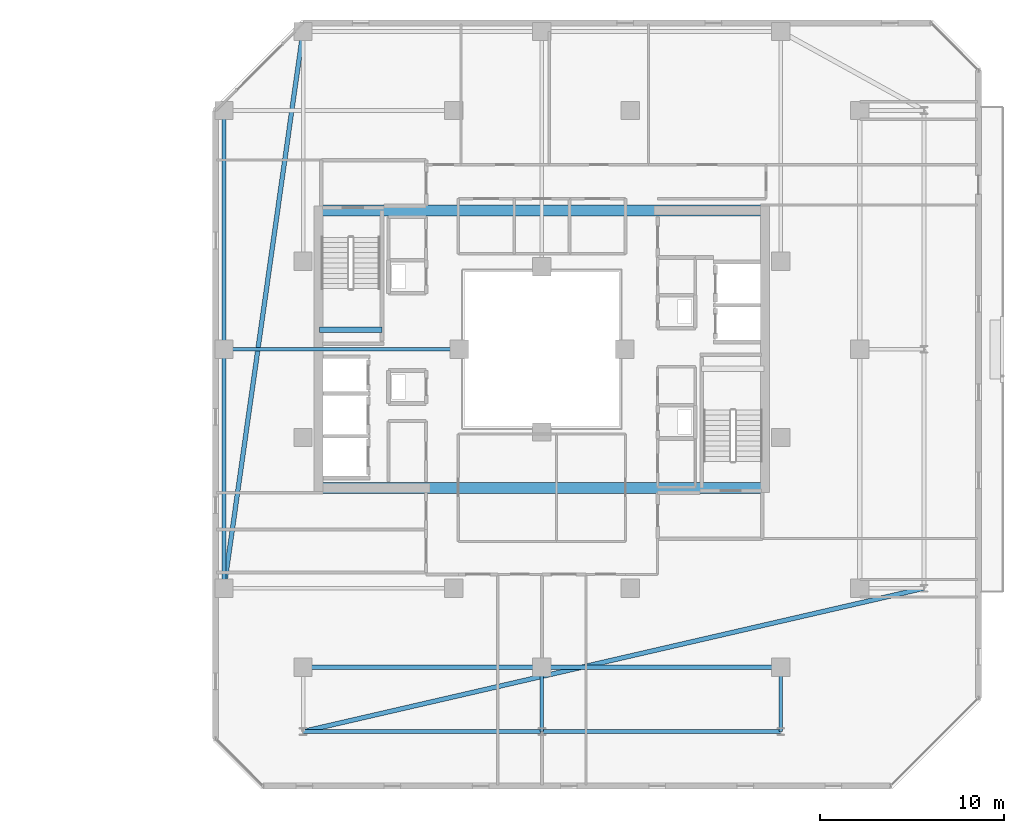
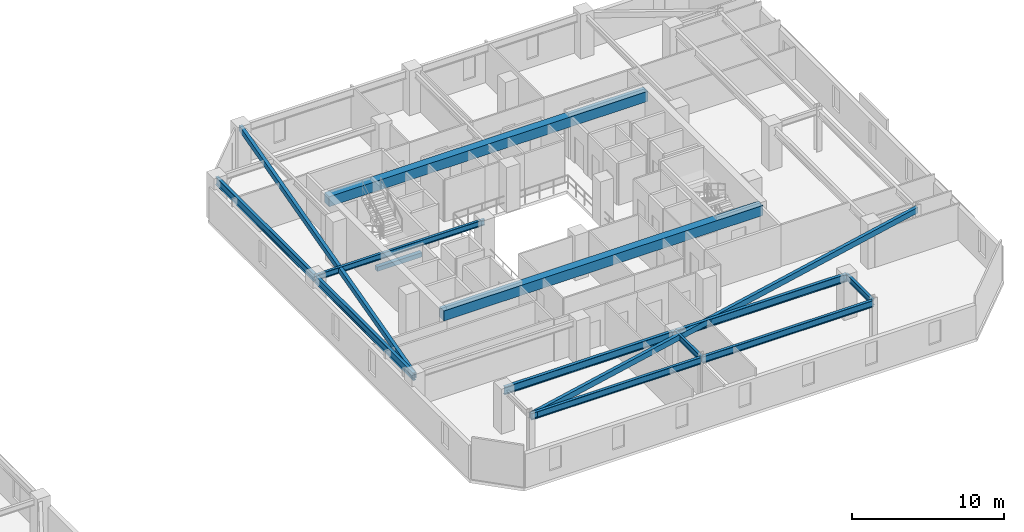
# One storey, part 11 of 32: 14 beams.
"""IFC4 building model written with IfcOpenShell, lengths in metres."""

import ifcopenshell
import ifcopenshell.guid

model = None  # the IFC model being written
_history = None  # IfcOwnerHistory: only IFC2X3 demands one
_inside = {}  # id of a spatial element -> (the spatial element, [elements in it])
_under = {}  # id of a project, library or spatial element -> (it, [spatial elements below it])
_declared = {}  # id of a project -> (the project, [libraries it declares])
_typed = {}  # id of a type object -> (the type object, [elements of that type])
_made_of = {}  # id of a material, layer set ... -> (it, [elements and type objects made of it])


def new_model(schema):
    """Start an empty IFC model of exactly this schema.

    Asked for "IFC4X3", IfcOpenShell would pick the latest addendum, in which some entities
    have other attributes; the version numbers below select the first issue.
    IFC2X3 requires an IfcOwnerHistory on every rooted entity: one is made here for all.
    """
    global model, _history
    if schema == "IFC4X3":
        model = ifcopenshell.file(schema_version=(4, 3, 0, 0))
    else:
        model = ifcopenshell.file(schema=schema)
    _inside.clear()
    _under.clear()
    _declared.clear()
    _typed.clear()
    _made_of.clear()
    _history = None
    if model.schema == "IFC2X3":
        org = make("IfcOrganization", Name="unknown")
        user = make(
            "IfcPersonAndOrganization",
            ThePerson=make("IfcPerson", FamilyName="unknown"),
            TheOrganization=org,
        )
        app = make(
            "IfcApplication",
            ApplicationDeveloper=org,
            Version="unknown",
            ApplicationFullName="unknown",
            ApplicationIdentifier="unknown",
        )
        _history = make(
            "IfcOwnerHistory",
            OwningUser=user,
            OwningApplication=app,
            ChangeAction="ADDED",
            CreationDate=0,
        )
    return model


def make(cls, **values):
    """One entity of the class cls with the attributes given. An attribute that is None is left unset."""
    return model.create_entity(
        cls, **{name: value for name, value in values.items() if value is not None}
    )


def rooted(cls, **values):
    """An entity with a GlobalId (a new one), such as an element, a storey or a relation."""
    return make(cls, GlobalId=ifcopenshell.guid.new(), OwnerHistory=_history, **values)


def si_unit(unit_type, name, prefix=None):
    """IfcSIUnit, for example si_unit("LENGTHUNIT", "METRE", prefix="MILLI")."""
    return make("IfcSIUnit", UnitType=unit_type, Prefix=prefix, Name=name)


def assignment(units):
    """IfcUnitAssignment: the units of a project."""
    return None if units is None else make("IfcUnitAssignment", Units=units)


def point(xyz):
    """IfcCartesianPoint."""
    return None if xyz is None else make("IfcCartesianPoint", Coordinates=xyz)


def direction(xyz):
    """IfcDirection."""
    return None if xyz is None else make("IfcDirection", DirectionRatios=xyz)


def frame(location, z_axis=None, x_axis=None):
    """IfcAxis2Placement3D, a coordinate frame: its origin and axes. An axis left out is left unset."""
    return make(
        "IfcAxis2Placement3D",
        Location=point(location),
        Axis=direction(z_axis),
        RefDirection=direction(x_axis),
    )


def frame_2d(location, x_axis=None):
    """IfcAxis2Placement2D, a coordinate frame in the plane: its origin and x axis."""
    return make(
        "IfcAxis2Placement2D", Location=point(location), RefDirection=direction(x_axis)
    )


def origin():
    """The frame at (0, 0, 0) with its axes left unset."""
    return frame((0.0, 0.0, 0.0))


def origin_2d():
    """The frame at (0, 0) in the plane with its x axis left unset."""
    return frame_2d((0.0, 0.0))


def place(relative_to, where):
    """IfcLocalPlacement: puts the frame where relative to a parent placement (None: the world)."""
    return make(
        "IfcLocalPlacement", PlacementRelTo=relative_to, RelativePlacement=where
    )


def context(
    kind, dimensions, precision=None, world=None, true_north=None, identifier=None
):
    """IfcGeometricRepresentationContext, for example the 3D "Model" context."""
    return make(
        "IfcGeometricRepresentationContext",
        ContextIdentifier=identifier,
        ContextType=kind,
        CoordinateSpaceDimension=dimensions,
        Precision=precision,
        WorldCoordinateSystem=world,
        TrueNorth=true_north,
    )


def subcontext(parent, identifier, kind, view, scale=None):
    """IfcGeometricRepresentationSubContext, for example "Body" below "Model"."""
    return make(
        "IfcGeometricRepresentationSubContext",
        ContextIdentifier=identifier,
        ContextType=kind,
        ParentContext=parent,
        TargetScale=scale,
        TargetView=view,
    )


def project(units=None, contexts=None):
    """IfcProject with its units and contexts."""
    return rooted(
        "IfcProject",
        Name="project",
        RepresentationContexts=contexts,
        UnitsInContext=assignment(units),
    )


def spatial(cls, under=None, at=None, **own):
    """A site, building, storey or space (cls), placed at a placement, below another one or the project."""
    s = rooted(cls, ObjectPlacement=at, **own)
    if under is not None:
        _under.setdefault(under.id(), (under, []))[1].append(s)
    return s


def profile(cls, at=None, kind="AREA", **sizes):
    """A parametric profile (cls). Its sizes go by their IFC names, for example OverallWidth=200.0."""
    return make(cls, ProfileType=kind, Position=at, **sizes)


def rectangle(**sizes):
    """IfcRectangleProfileDef."""
    return profile("IfcRectangleProfileDef", **sizes)


def hollow_rectangle(**sizes):
    """IfcRectangleHollowProfileDef."""
    return profile("IfcRectangleHollowProfileDef", **sizes)


def i_section(**sizes):
    """IfcIShapeProfileDef."""
    return profile("IfcIShapeProfileDef", **sizes)


def extrude(swept, where, along, depth):
    """IfcExtrudedAreaSolid: the profile swept, set in the frame where, extruded along a direction by depth."""
    return make(
        "IfcExtrudedAreaSolid",
        SweptArea=swept,
        Position=where,
        ExtrudedDirection=direction(along),
        Depth=depth,
    )


def shape(context_of_items, identifier, shape_type, items):
    """IfcShapeRepresentation: the items that make up one representation, for example the "Body"."""
    return make(
        "IfcShapeRepresentation",
        ContextOfItems=context_of_items,
        RepresentationIdentifier=identifier,
        RepresentationType=shape_type,
        Items=items,
    )


def material(Name=None, Category=None):
    """IfcMaterial."""
    return make("IfcMaterial", Name=Name, Category=Category)


def material_profile(
    of_material, cross_section, Name=None, Category=None, Priority=None
):
    """IfcMaterialProfile: a cross section and its material."""
    return make(
        "IfcMaterialProfile",
        Name=Name,
        Material=of_material,
        Profile=cross_section,
        Priority=Priority,
        Category=Category,
    )


def profile_set(profiles, Name=None, composite=None):
    """IfcMaterialProfileSet."""
    return make(
        "IfcMaterialProfileSet",
        Name=Name,
        MaterialProfiles=profiles,
        CompositeProfile=composite,
    )


def made_of(thing, what):
    """Note that an element or type object is made of a material, layer set ...; save() writes the relation."""
    if what is not None:
        _made_of.setdefault(what.id(), (what, []))[1].append(thing)
    return thing


def type_object(cls, material=None, **own):
    """A type object (cls), such as IfcWallType, which elements share."""
    return made_of(rooted(cls, **own), material)


def element(
    cls,
    number,
    at=None,
    inside=None,
    cuts=None,
    type_object=None,
    material=None,
    context=None,
    identifier="Body",
    shape_type=None,
    held_by="IfcProductDefinitionShape",
    body=None,
    shapes=None,
    **own,
):
    """One element of the class cls, such as IfcWall. Its Tag is "e" and its number.

    at: its placement. inside: the storey or other place that contains it. cuts: it is an
    opening in that element (IfcRelVoidsElement). A single representation is given by context,
    identifier, shape_type and body (its items); several are given by shapes. held_by: the class
    of the entity that holds the representations. save() writes the other relations.
    """
    e = rooted(cls, Tag="e%d" % number, ObjectPlacement=at, **own)
    if body is not None:
        shapes = [shape(context, identifier, shape_type, body)]
    if shapes is not None:
        e.Representation = make(held_by, Representations=shapes)
    if inside is not None:
        _inside.setdefault(inside.id(), (inside, []))[1].append(e)
    if cuts is not None:
        rooted(
            "IfcRelVoidsElement", RelatingBuildingElement=cuts, RelatedOpeningElement=e
        )
    if type_object is not None:
        _typed.setdefault(type_object.id(), (type_object, []))[1].append(e)
    return made_of(e, material)


def aggregate(whole, parts):
    """IfcRelAggregates: a whole, such as a stair, and the parts it consists of."""
    return rooted("IfcRelAggregates", RelatingObject=whole, RelatedObjects=parts)


def save(model, path):
    """Write the relations noted so far, then the file.

    IfcRelAggregates (storeys below a building ...), IfcRelContainedInSpatialStructure (elements
    in a storey), IfcRelDefinesByType, IfcRelAssociatesMaterial and IfcRelDeclares: one each for
    every whole, place, type object, material and project.
    """
    for whole, parts in _under.values():
        aggregate(whole, parts)
    for where, things in _inside.values():
        rooted(
            "IfcRelContainedInSpatialStructure",
            RelatedElements=things,
            RelatingStructure=where,
        )
    for kind, things in _typed.values():
        rooted("IfcRelDefinesByType", RelatedObjects=things, RelatingType=kind)
    for what, things in _made_of.values():
        rooted("IfcRelAssociatesMaterial", RelatedObjects=things, RelatingMaterial=what)
    for by, libraries in _declared.values():
        rooted("IfcRelDeclares", RelatingContext=by, RelatedDefinitions=libraries)
    model.write(path)


model = new_model("IFC4")

# Units and contexts
model_context = context("Model", 3, precision=1e-05, world=origin(), true_north=direction((0.0, 1.0)))
body_context = subcontext(model_context, "Body", "Model", "MODEL_VIEW")
ifc_project = project(units=[si_unit("LENGTHUNIT", "METRE"), si_unit("AREAUNIT", "SQUARE_METRE"), si_unit("VOLUMEUNIT", "CUBIC_METRE"), si_unit("PLANEANGLEUNIT", "RADIAN"), si_unit("MASSUNIT", "GRAM", prefix="KILO")], contexts=[model_context])

# Site, building, storey
site_placement = place(None, origin())
site = spatial("IfcSite", under=ifc_project, at=site_placement, CompositionType="ELEMENT")
building_placement = place(site_placement, origin())
building = spatial("IfcBuilding", under=site, at=building_placement, Name="Thornwick Lancets Civic Towers", CompositionType="ELEMENT")
storey_placement = place(building_placement, frame((0.0, 0.0, 247.5)))
storey = spatial("IfcBuildingStorey", under=building, at=storey_placement, Name="L66", CompositionType="ELEMENT", Elevation=247.5)

# Beams
ifc_material_1 = material(Name="Concrete C60/75", Category="concrete")
ifc_material_profile_1 = material_profile(ifc_material_1, rectangle(XDim=0.60009765625, YDim=0.800048828125, at=origin_2d()), Name="RC 600x800")
ifc_profile_set_1 = profile_set([ifc_material_profile_1], Name="Concrete C60/75")
beam_type_1 = type_object("IfcBeamType", Name="BM_COUP_RC800", PredefinedType="BEAM", material=ifc_profile_set_1)
for number, where, z_axis, x_axis, name in (
    (1, (76.39990234375, 34.550048828125, 2.9599609375), (1.0, 0.0, 0.0), (0.0, 1.0, 0.0), "CB-L66-B1"),
    (2, (76.39990234375, 19.449951171875, 2.9599609375), (1.0, 0.0, 0.0), (0.0, 1.0, 0.0), "CB-L66-B2"),
):
    element("IfcBeam", number, at=place(storey_placement, frame(where, z_axis=z_axis, x_axis=x_axis)), inside=storey, type_object=beam_type_1, Name=name, PredefinedType="BEAM", context=body_context, shape_type="SweptSolid", body=[
        extrude(rectangle(XDim=0.60009765625, YDim=0.800048828125, at=origin_2d()), origin(), (0.0, 0.0, 1.0), 24.2001953125),
    ])
ifc_material_2 = material(Name="Steel S355JR", Category="steel")
ifc_material_profile_2 = material_profile(ifc_material_2, i_section(OverallWidth=0.210693359375, OverallDepth=0.53955078125, WebThickness=0.01171875, FlangeThickness=0.018798828125, FilletRadius=0.0126953125, at=origin_2d()), Name="UKB 533x210x109")
ifc_profile_set_2 = profile_set([ifc_material_profile_2], Name="Steel S355JR")
beam_type_2 = type_object("IfcBeamType", Name="BM_EDGE_533_109", PredefinedType="SPANDREL", material=ifc_profile_set_2)
beam_1_placement = place(storey_placement, frame((101.5, 6.199951171875, 3.09033203125), z_axis=(-1.0, 0.0, 0.0), x_axis=(0.0, -1.0, 0.0)))
element("IfcBeam", 3, at=beam_1_placement, inside=storey, type_object=beam_type_2, Name="BM-EDGE-L66-B-S3-1", PredefinedType="SPANDREL", context=body_context, shape_type="SweptSolid", body=[
    extrude(i_section(OverallWidth=0.210693359375, OverallDepth=0.53955078125, WebThickness=0.01171875, FlangeThickness=0.018798828125, FilletRadius=0.0126953125, at=origin_2d()), origin(), (0.0, 0.0, 1.0), 13.0),
])
beam_2_placement = place(storey_placement, frame((88.419921875, 6.199951171875, 3.09033203125), z_axis=(-1.0, 0.0, 0.0), x_axis=(0.0, -1.0, 0.0)))
element("IfcBeam", 4, at=beam_2_placement, inside=storey, type_object=beam_type_2, Name="BM-EDGE-L66-B-S3-2", PredefinedType="SPANDREL", context=body_context, shape_type="SweptSolid", body=[
    extrude(i_section(OverallWidth=0.210693359375, OverallDepth=0.53955078125, WebThickness=0.01171875, FlangeThickness=0.018798828125, FilletRadius=0.0126953125, at=origin_2d()), origin(), (0.0, 0.0, 1.0), 12.919921875),
])
ifc_material_profile_3 = material_profile(ifc_material_2, i_section(OverallWidth=0.230224609375, OverallDepth=0.6171875, WebThickness=0.01318359375, FlangeThickness=0.022216796875, FilletRadius=0.0126953125, at=origin_2d()), Name="UKB 610x229x140")
ifc_profile_set_3 = profile_set([ifc_material_profile_3], Name="Steel S355JR")
beam_type_3 = type_object("IfcBeamType", Name="BM_GIRD_610_140", PredefinedType="BEAM", material=ifc_profile_set_3)
beam_3_placement = place(storey_placement, frame((71.199951171875, 14.0, 3.051513671875), z_axis=(0.0, 1.0, 0.0), x_axis=(-1.0, 0.0, 0.0)))
element("IfcBeam", 5, at=beam_3_placement, inside=storey, type_object=beam_type_3, Name="BM-SPINE-L66-B-6-7", PredefinedType="BEAM", context=body_context, shape_type="SweptSolid", body=[
    extrude(i_section(OverallWidth=0.230224609375, OverallDepth=0.6171875, WebThickness=0.01318359375, FlangeThickness=0.022216796875, FilletRadius=0.0126953125, at=origin_2d()), origin(), (0.0, 0.0, 1.0), 13.0),
])
beam_4_placement = place(storey_placement, frame((71.199951171875, 27.080078125, 3.051513671875), z_axis=(0.0, 1.0, 0.0), x_axis=(-1.0, 0.0, 0.0)))
element("IfcBeam", 6, at=beam_4_placement, inside=storey, type_object=beam_type_3, Name="BM-SPINE-L66-B-7-8", PredefinedType="BEAM", context=body_context, shape_type="SweptSolid", body=[
    extrude(i_section(OverallWidth=0.230224609375, OverallDepth=0.6171875, WebThickness=0.01318359375, FlangeThickness=0.022216796875, FilletRadius=0.0126953125, at=origin_2d()), origin(), (0.0, 0.0, 1.0), 12.919921875),
])
beam_5_placement = place(storey_placement, frame((101.5, 9.699951171875, 3.051513671875), z_axis=(-1.0, 0.0, 0.0), x_axis=(0.0, -1.0, 0.0)))
element("IfcBeam", 7, at=beam_5_placement, inside=storey, type_object=beam_type_3, Name="BM-SPINE-L66-B-9-10", PredefinedType="BEAM", context=body_context, shape_type="SweptSolid", body=[
    extrude(i_section(OverallWidth=0.230224609375, OverallDepth=0.6171875, WebThickness=0.01318359375, FlangeThickness=0.022216796875, FilletRadius=0.0126953125, at=origin_2d()), origin(), (0.0, 0.0, 1.0), 13.0),
])
beam_6_placement = place(storey_placement, frame((88.419921875, 9.699951171875, 3.051513671875), z_axis=(-1.0, 0.0, 0.0), x_axis=(0.0, -1.0, 0.0)))
element("IfcBeam", 8, at=beam_6_placement, inside=storey, type_object=beam_type_3, Name="BM-SPINE-L66-B-10-11", PredefinedType="BEAM", context=body_context, shape_type="SweptSolid", body=[
    extrude(i_section(OverallWidth=0.230224609375, OverallDepth=0.6171875, WebThickness=0.01318359375, FlangeThickness=0.022216796875, FilletRadius=0.0126953125, at=origin_2d()), origin(), (0.0, 0.0, 1.0), 12.919921875),
])
ifc_material_profile_4 = material_profile(ifc_material_2, i_section(OverallWidth=0.19189453125, OverallDepth=0.46337890625, WebThickness=0.010498046875, FlangeThickness=0.017578125, FilletRadius=0.01025390625, at=origin_2d()), Name="UKB 457x191x89")
ifc_profile_set_4 = profile_set([ifc_material_profile_4], Name="Steel S355JR")
beam_type_4 = type_object("IfcBeamType", Name="BM_JOIST_457_89", PredefinedType="JOIST", material=ifc_profile_set_4)
beam_7_placement = place(storey_placement, frame((84.0, 27.0, 3.12841796875), z_axis=(-1.0, 0.0, 0.0), x_axis=(0.0, -1.0, 0.0)))
element("IfcBeam", 9, at=beam_7_placement, inside=storey, type_object=beam_type_4, Name="BM-RADIN-L66-B08", PredefinedType="JOIST", context=body_context, shape_type="SweptSolid", body=[
    extrude(i_section(OverallWidth=0.19189453125, OverallDepth=0.46337890625, WebThickness=0.010498046875, FlangeThickness=0.017578125, FilletRadius=0.01025390625, at=origin_2d()), origin(), (0.0, 0.0, 1.0), 12.800048828125),
])
for number, where, z_axis, x_axis, name in (
    (10, (101.5, 9.699951171875, 3.12841796875), (0.0, -1.0, 0.0), (1.0, 0.0, 0.0), "BM-RAD-L66-B10"),
    (11, (88.5, 9.699951171875, 3.12841796875), (0.0, -1.0, 0.0), (1.0, 0.0, 0.0), "BM-RAD-L66-B11"),
):
    element("IfcBeam", number, at=place(storey_placement, frame(where, z_axis=z_axis, x_axis=x_axis)), inside=storey, type_object=beam_type_4, Name=name, PredefinedType="JOIST", context=body_context, shape_type="SweptSolid", body=[
        extrude(i_section(OverallWidth=0.19189453125, OverallDepth=0.46337890625, WebThickness=0.010498046875, FlangeThickness=0.017578125, FilletRadius=0.01025390625, at=origin_2d()), origin(), (0.0, 0.0, 1.0), 3.5),
    ])
ifc_material_profile_5 = material_profile(ifc_material_2, hollow_rectangle(XDim=0.25, YDim=0.449951171875, WallThickness=0.01611328125, at=origin_2d()), Name="RHS 450x250x16")
ifc_profile_set_5 = profile_set([ifc_material_profile_5], Name="Steel S355JR")
beam_type_5 = type_object("IfcBeamType", Name="BM_RING_RHS450", PredefinedType="BEAM", material=ifc_profile_set_5)
beam_8_placement = place(storey_placement, frame((75.5, 44.300048828125, 3.135009765625), z_axis=(-0.140507712682, -0.990079584012, 0.0), x_axis=(0.990079584012, -0.140507712682, 0.0)))
element("IfcBeam", 12, at=beam_8_placement, inside=storey, type_object=beam_type_5, Name="BM-CHAMF-L66-B-C1", PredefinedType="BEAM", context=body_context, shape_type="SweptSolid", body=[
    extrude(hollow_rectangle(XDim=0.25, YDim=0.449951171875, WallThickness=0.01611328125, at=origin_2d()), origin(), (0.0, 0.0, 1.0), 30.603759765625),
])
beam_9_placement = place(storey_placement, frame((75.5, 6.199951171875, 3.135009765625), z_axis=(0.974390958454, 0.224860534737, 0.0), x_axis=(-0.224860534737, 0.974390958454, 0.0)))
element("IfcBeam", 13, at=beam_9_placement, inside=storey, type_object=beam_type_5, Name="BM-CHAMF-L66-B-C3", PredefinedType="BEAM", context=body_context, shape_type="SweptSolid", body=[
    extrude(hollow_rectangle(XDim=0.25, YDim=0.449951171875, WallThickness=0.01611328125, at=origin_2d()), origin(), (0.0, 0.0, 1.0), 34.6884765625),
])
ifc_material_3 = material(Name="Concrete C40/50", Category="concrete")
ifc_material_profile_6 = material_profile(ifc_material_3, rectangle(XDim=0.300048828125, YDim=0.35009765625, at=origin_2d()), Name="RC 300x350")
ifc_profile_set_6 = profile_set([ifc_material_profile_6], Name="Concrete C40/50")
beam_type_6 = type_object("IfcBeamType", Name="BM_STAIR_LDG", PredefinedType="BEAM", material=ifc_profile_set_6)
beam_10_placement = place(storey_placement, frame((76.39990234375, 28.06494140625, 1.3779296875), z_axis=(1.0, 0.0, 0.0), x_axis=(0.0, 1.0, 0.0)))
element("IfcBeam", 14, at=beam_10_placement, inside=storey, type_object=beam_type_6, Name="L66 ST-B2 Landing Support Beam 1", PredefinedType="BEAM", context=body_context, shape_type="SweptSolid", body=[
    extrude(rectangle(XDim=0.300048828125, YDim=0.35009765625, at=origin_2d()), origin(), (0.0, 0.0, 1.0), 3.400146484375),
])

save(model, "model.ifc")
